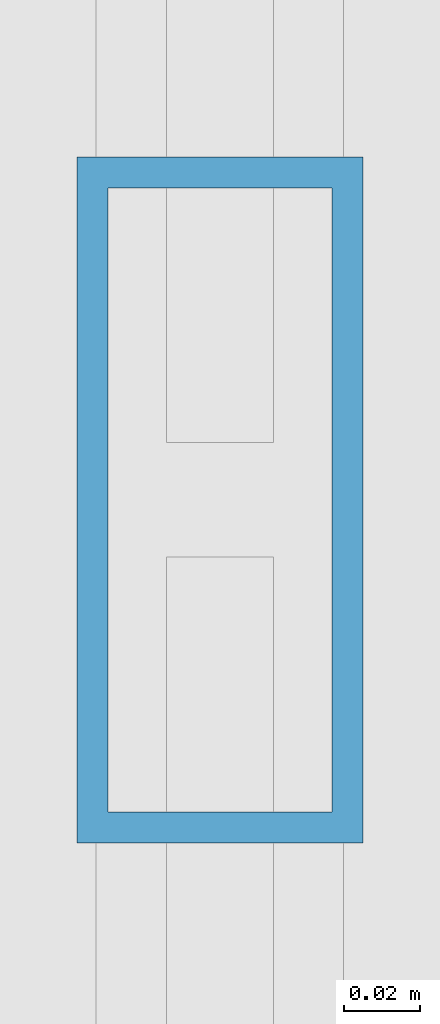
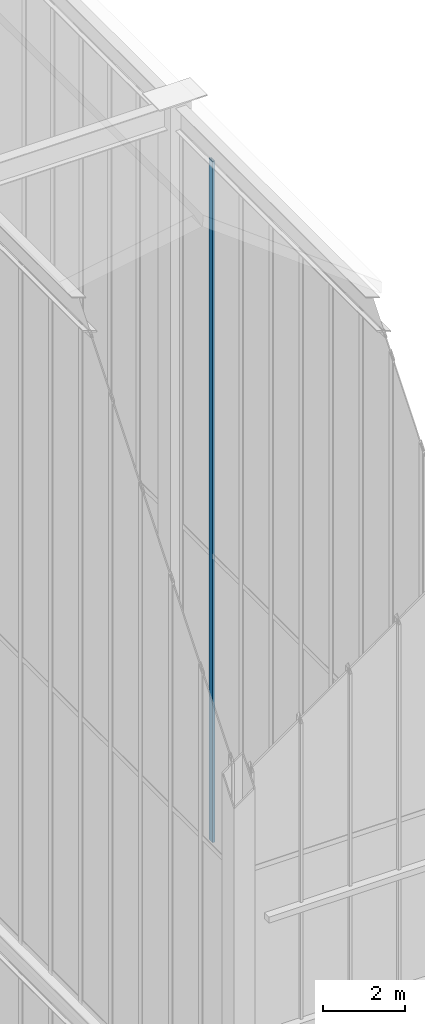
# One storey, part 82 of 135: 1 member, 1 element without a shape of its own.
"""IFC4 building model written with IfcOpenShell, lengths in metres."""

from ifc_helpers import new_model, si_unit, direction, frame, origin, origin_2d, place, context, subcontext, project, spatial, hollow_rectangle, extrude, source, transform, mapped, material, layer, layer_set, material_profile, profile_set, type_object, element, aggregate, save


model = new_model("IFC4")

# Units and contexts
model_context = context("Model", 3, precision=1e-05, world=origin(), true_north=direction((0.0, 1.0)))
body_context = subcontext(model_context, "Body", "Model", "MODEL_VIEW")
ifc_project = project(units=[si_unit("LENGTHUNIT", "METRE"), si_unit("AREAUNIT", "SQUARE_METRE"), si_unit("VOLUMEUNIT", "CUBIC_METRE"), si_unit("PLANEANGLEUNIT", "RADIAN"), si_unit("MASSUNIT", "GRAM", prefix="KILO")], contexts=[model_context])

# Site, building, storey
site_placement = place(None, origin())
site = spatial("IfcSite", under=ifc_project, at=site_placement, CompositionType="ELEMENT")
building_placement = place(site_placement, origin())
building = spatial("IfcBuilding", under=site, at=building_placement, Name="Giltprow Tower", CompositionType="ELEMENT")
storey_placement = place(building_placement, frame((0.0, 0.0, 352.699951171875)))
storey = spatial("IfcBuildingStorey", under=building, at=storey_placement, Name="L92", CompositionType="ELEMENT", Elevation=352.699951171875)

# Curtain wall, member
ifc_material = material(Name="Anodized bronze", Category="metal")
ifc_layer = layer(ifc_material, 0.179931640625, Name="Anodized bronze")
ifc_layer_set = layer_set([ifc_layer], Name="Anodized bronze")
curtain_wall_type = type_object("IfcCurtainWallType", Name="CW-CROWN-LANTERN", PredefinedType="NOTDEFINED", material=ifc_layer_set)
curtain_wall_placement = place(storey_placement, origin())
curtain_wall = element("IfcCurtainWall", 1, at=curtain_wall_placement, inside=storey, type_object=curtain_wall_type, Name="Crown East Upper Lantern Glazing 2", PredefinedType="NOTDEFINED")
ifc_material_profile = material_profile(ifc_material, hollow_rectangle(XDim=0.074951171875, YDim=0.179931640625, WallThickness=0.008056640625, at=origin_2d()), Name="RHS 180x75x8")
ifc_profile_set = profile_set([ifc_material_profile], Name="Anodized bronze")
member_type = type_object("IfcMemberType", Name="CW-MULLION-180x75", PredefinedType="MULLION", material=ifc_profile_set)
shared_shape = source(origin(), body_context, "Body", "SweptSolid", [
    extrude(hollow_rectangle(XDim=0.074951171875, YDim=0.179931640625, WallThickness=0.008056640625, at=origin_2d()), origin(), (0.0, 0.0, 1.0), 20.406005859375),
])
member_placement = place(storey_placement, frame((50.550048828125, 35.6279296875, 17.25), z_axis=(0.0, 0.0, 1.0), x_axis=(1.0, 0.0, 0.0)))
member = element("IfcMember", 2, at=member_placement, type_object=member_type, Name="Crown East Upper Lantern Glazing 2 Mullion 9", PredefinedType="MULLION", context=body_context, shape_type="MappedRepresentation", body=[
    mapped(shared_shape, transform((0.0, 0.0, 0.0), x_axis=(1.0, 0.0, 0.0), y_axis=(0.0, 1.0, 0.0), z_axis=(0.0, 0.0, 1.0), scale=1.0)),
])
aggregate(curtain_wall, [member])

save(model, "model.ifc")
